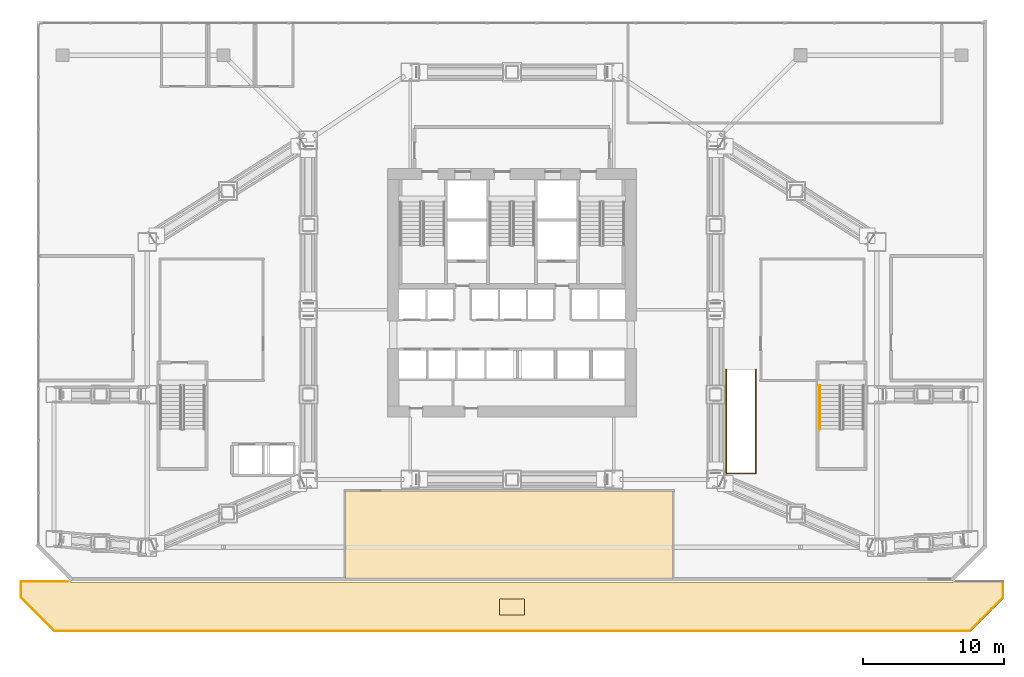
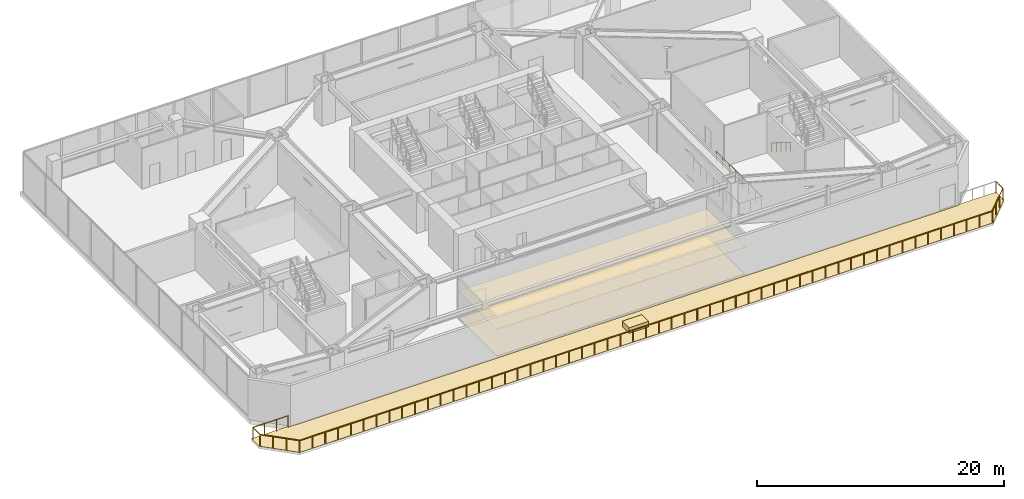
# One storey, part 37 of 39: 4 coverings, 3 railings.
"""IFC4 building model written with IfcOpenShell, lengths in metres."""

from ifc_helpers import new_model, si_unit, direction, frame, origin, origin_2d, place, context, subcontext, project, spatial, polyline, rectangle, circle, outline, extrude, material, layer, layer_set, type_object, element, save


model = new_model("IFC4")

# Units and contexts
model_context = context("Model", 3, precision=1e-05, world=origin(), true_north=direction((0.0, 1.0)))
body_context = subcontext(model_context, "Body", "Model", "MODEL_VIEW")
ifc_project = project(units=[si_unit("LENGTHUNIT", "METRE"), si_unit("AREAUNIT", "SQUARE_METRE"), si_unit("VOLUMEUNIT", "CUBIC_METRE"), si_unit("PLANEANGLEUNIT", "RADIAN"), si_unit("MASSUNIT", "GRAM", prefix="KILO")], contexts=[model_context])

# Site, building, storey
site_placement = place(None, origin())
site = spatial("IfcSite", under=ifc_project, at=site_placement, CompositionType="ELEMENT")
building_placement = place(site_placement, origin())
building = spatial("IfcBuilding", under=site, at=building_placement, Name="Haolan Belvedere Tower", CompositionType="ELEMENT")
storey_placement = place(building_placement, frame((0.0, 0.0, 19.800048828125)))
storey = spatial("IfcBuildingStorey", under=building, at=storey_placement, Name="L04", CompositionType="ELEMENT", Elevation=19.800048828125)

# Coverings
ifc_material_1 = material(Name="Acoustic mineral-fibre suspended ceiling system", Category="masonry")
ifc_layer_1 = layer(ifc_material_1, 0.02490234375, Name="Acoustic mineral-fibre suspended ceiling system")
ifc_layer_set_1 = layer_set([ifc_layer_1], Name="Acoustic mineral-fibre suspended ceiling system")
covering_type_1 = type_object("IfcCoveringType", Name="COV-CEIL-AC25", PredefinedType="CEILING", material=ifc_layer_set_1)
covering_1_placement = place(storey_placement, frame((0.0, 0.0, 2.64990234375)))
element("IfcCovering", 1, at=covering_1_placement, inside=storey, type_object=covering_type_1, Name="L04 suspended acoustic ceiling L04-SPAL.1", PredefinedType="CEILING", context=body_context, shape_type="SweptSolid", body=[
    extrude(outline(polyline([(49.81201171875, 14.5380859375), (49.81201171875, 20.81201171875), (26.587890625, 20.81201171875), (26.587890625, 14.5380859375), (49.81201171875, 14.5380859375)])), origin(), (0.0, 0.0, 1.0), 0.025146484375),
])
ifc_material_2 = material(Name="Honed terrazzo and natural granite stone flooring", Category="masonry")
ifc_layer_2 = layer(ifc_material_2, 0.014892578125, Name="Honed terrazzo and natural granite stone flooring")
ifc_layer_set_2 = layer_set([ifc_layer_2], Name="Honed terrazzo and natural granite stone flooring")
covering_type_2 = type_object("IfcCoveringType", Name="COV-FLR-STN30", PredefinedType="FLOORING", material=ifc_layer_set_2)
covering_2_placement = place(storey_placement, origin())
element("IfcCovering", 2, at=covering_2_placement, inside=storey, type_object=covering_type_2, Name="L04 polished stone floor finish L04-SPAL.1", PredefinedType="FLOORING", context=body_context, shape_type="SweptSolid", body=[
    extrude(outline(polyline([(49.787109375, 20.787109375), (26.613037109375, 20.787109375), (26.613037109375, 14.56298828125), (49.787109375, 14.56298828125), (49.787109375, 20.787109375)])), origin(), (0.0, 0.0, 1.0), 0.014892578125),
])
ifc_material_3 = material(Name="Engineered lightweight planted garden soil substrate", Category="masonry")
ifc_layer_3 = layer(ifc_material_3, 0.550048828125, Name="Engineered lightweight planted garden soil substrate")
ifc_layer_set_3 = layer_set([ifc_layer_3], Name="Engineered lightweight planted garden soil substrate")
covering_type_3 = type_object("IfcCoveringType", Name="COV-PLANT-550", PredefinedType="MEMBRANE", material=ifc_layer_set_3)
covering_3_placement = place(storey_placement, frame((38.39990234375, 12.574951171875, 0.0), z_axis=(0.0, 0.0, 1.0), x_axis=(1.0, 0.0, 0.0)))
element("IfcCovering", 3, at=covering_3_placement, inside=storey, type_object=covering_type_3, Name="L04 cascade garden terrace PLANTER bed 1", PredefinedType="MEMBRANE", context=body_context, shape_type="SweptSolid", body=[
    extrude(rectangle(XDim=1.800048828125, YDim=1.10009765625, at=origin_2d()), origin(), (0.0, 0.0, 1.0), 0.550048828125),
])
ifc_material_4 = material(Name="Elastomeric waterproof roofing membrane and stone pavers", Category="masonry")
ifc_layer_4 = layer(ifc_material_4, 0.02001953125, Name="Elastomeric waterproof roofing membrane and stone pavers")
ifc_layer_set_4 = layer_set([ifc_layer_4], Name="Elastomeric waterproof roofing membrane and stone pavers")
covering_type_4 = type_object("IfcCoveringType", Name="COV-ROOF-20", PredefinedType="ROOFING", material=ifc_layer_set_4)
covering_4_placement = place(storey_placement, frame((0.0, 0.0, -0.02001953125)))
element("IfcCovering", 4, at=covering_4_placement, inside=storey, type_object=covering_type_4, Name="L04 garden terrace waterproof roofing paver 1", PredefinedType="ROOFING", context=body_context, shape_type="SweptSolid", body=[
    extrude(outline(polyline([(73.199951171875, 14.449951171875), (69.720703125, 14.449951171875), (69.63671875, 14.365966796875), (69.63427734375, 14.36376953125), (69.629638671875, 14.35986328125), (69.62548828125, 14.357177734375), (69.621337890625, 14.35498046875), (69.61669921875, 14.35302734375), (69.612060546875, 14.3515625), (69.607421875, 14.3505859375), (69.601318359375, 14.35009765625), (69.59814453125, 14.35009765625), (7.201904296875, 14.35009765625), (7.198486328125, 14.35009765625), (7.192626953125, 14.3505859375), (7.18798828125, 14.3515625), (7.18310546875, 14.35302734375), (7.1787109375, 14.35498046875), (7.17431640625, 14.357177734375), (7.17041015625, 14.35986328125), (7.165771484375, 14.36376953125), (7.163330078125, 14.365966796875), (7.0791015625, 14.449951171875), (3.60009765625, 14.449951171875), (3.60009765625, 13.199951171875), (6.0, 10.800048828125), (70.800048828125, 10.800048828125), (73.199951171875, 13.199951171875), (73.199951171875, 14.449951171875)])), origin(), (0.0, 0.0, 1.0), 0.02001953125),
])

# Railings
ifc_material_5 = material(Name="Brushed stainless steel 304", Category="steel")
railing_type_1 = type_object("IfcRailingType", Name="RL-STAIR-GRD-1150", PredefinedType="GUARDRAIL", material=ifc_material_5)
railing_1_placement = place(storey_placement, frame((53.56005859375, 29.385009765625, 0.0)))
element("IfcRailing", 5, at=railing_1_placement, inside=storey, type_object=railing_type_1, Name="L04 ST9 upper well perimeter guard", PredefinedType="GUARDRAIL", context=body_context, shape_type="SweptSolid", body=[
    extrude(circle(Radius=0.02392578125, at=origin_2d()), frame((0.0, 0.0, 1.1259765625), z_axis=(0.0, -1.0, 0.0), x_axis=(1.0, 0.0, 0.0)), (0.0, 0.0, 1.0), 7.364990234375),
    extrude(circle(Radius=0.02392578125, at=origin_2d()), frame((0.0, -7.364990234375, 1.1259765625), z_axis=(1.0, 0.0, 0.0), x_axis=(0.0, 1.0, 0.0)), (0.0, 0.0, 1.0), 2.079833984375),
    extrude(circle(Radius=0.02392578125, at=origin_2d()), frame((2.079833984375, -7.364990234375, 1.1259765625), z_axis=(0.0, 1.0, 0.0), x_axis=(-1.0, 0.0, 0.0)), (0.0, 0.0, 1.0), 7.364990234375),
    extrude(circle(Radius=0.02099609375, at=origin_2d()), origin(), (0.0, 0.0, 1.0), 1.101806640625),
    extrude(circle(Radius=0.02099609375, at=origin_2d()), frame((0.0, -1.05224609375, 0.0)), (0.0, 0.0, 1.0), 1.101806640625),
    extrude(circle(Radius=0.02099609375, at=origin_2d()), frame((0.0, -2.104248046875, 0.0)), (0.0, 0.0, 1.0), 1.101806640625),
    extrude(circle(Radius=0.02099609375, at=origin_2d()), frame((0.0, -3.156494140625, 0.0)), (0.0, 0.0, 1.0), 1.101806640625),
    extrude(circle(Radius=0.02099609375, at=origin_2d()), frame((0.0, -4.20849609375, 0.0)), (0.0, 0.0, 1.0), 1.101806640625),
    extrude(circle(Radius=0.02099609375, at=origin_2d()), frame((0.0, -5.2607421875, 0.0)), (0.0, 0.0, 1.0), 1.101806640625),
    extrude(circle(Radius=0.02099609375, at=origin_2d()), frame((0.0, -6.312744140625, 0.0)), (0.0, 0.0, 1.0), 1.101806640625),
    extrude(circle(Radius=0.02099609375, at=origin_2d()), frame((0.0, -7.364990234375, 0.0)), (0.0, 0.0, 1.0), 1.101806640625),
    extrude(circle(Radius=0.02099609375, at=origin_2d()), frame((1.0400390625, -7.364990234375, 0.0)), (0.0, 0.0, 1.0), 1.101806640625),
    extrude(circle(Radius=0.02099609375, at=origin_2d()), frame((2.079833984375, -7.364990234375, 0.0)), (0.0, 0.0, 1.0), 1.101806640625),
    extrude(circle(Radius=0.02099609375, at=origin_2d()), frame((2.079833984375, -6.312744140625, 0.0)), (0.0, 0.0, 1.0), 1.101806640625),
    extrude(circle(Radius=0.02099609375, at=origin_2d()), frame((2.079833984375, -5.2607421875, 0.0)), (0.0, 0.0, 1.0), 1.101806640625),
    extrude(circle(Radius=0.02099609375, at=origin_2d()), frame((2.079833984375, -4.20849609375, 0.0)), (0.0, 0.0, 1.0), 1.101806640625),
    extrude(circle(Radius=0.02099609375, at=origin_2d()), frame((2.079833984375, -3.156494140625, 0.0)), (0.0, 0.0, 1.0), 1.101806640625),
    extrude(circle(Radius=0.02099609375, at=origin_2d()), frame((2.079833984375, -2.104248046875, 0.0)), (0.0, 0.0, 1.0), 1.101806640625),
    extrude(circle(Radius=0.02099609375, at=origin_2d()), frame((2.079833984375, -1.05224609375, 0.0)), (0.0, 0.0, 1.0), 1.101806640625),
    extrude(circle(Radius=0.02099609375, at=origin_2d()), frame((2.079833984375, 0.0, 0.0)), (0.0, 0.0, 1.0), 1.101806640625),
])
railing_type_2 = type_object("IfcRailingType", Name="RL-STAIR-HND-900", PredefinedType="HANDRAIL", material=ifc_material_5)
railing_2_placement = place(storey_placement, frame((60.169921875, 28.22998046875, 0.175048828125)))
element("IfcRailing", 6, at=railing_2_placement, inside=storey, type_object=railing_type_2, Name="L04 ST5 stair handrail 1", PredefinedType="HANDRAIL", context=body_context, shape_type="SweptSolid", body=[
    extrude(circle(Radius=0.02392578125, at=origin_2d()), frame((0.0, 0.0, 0.8759765625), z_axis=(0.0, -0.848028513186, 0.529950602248), x_axis=(1.0, 0.0, 0.0)), (0.0, 0.0, 1.0), 3.632080078125),
    extrude(circle(Radius=0.02099609375, at=origin_2d()), origin(), (0.0, 0.0, 1.0), 0.851806640625),
    extrude(circle(Radius=0.02099609375, at=origin_2d()), frame((0.0, -0.77001953125, 0.481201171875)), (0.0, 0.0, 1.0), 0.851806640625),
    extrude(circle(Radius=0.02099609375, at=origin_2d()), frame((0.0, -1.5400390625, 0.96240234375)), (0.0, 0.0, 1.0), 0.851806640625),
    extrude(circle(Radius=0.02099609375, at=origin_2d()), frame((0.0, -2.31005859375, 1.443603515625)), (0.0, 0.0, 1.0), 0.851806640625),
    extrude(circle(Radius=0.02099609375, at=origin_2d()), frame((0.0, -3.080078125, 1.9248046875)), (0.0, 0.0, 1.0), 0.851806640625),
])
ifc_material_6 = material(Name="Anodised aluminium and laminated glass balustrade", Category="aluminium")
railing_type_3 = type_object("IfcRailingType", Name="RL-TER-BAL-1150", PredefinedType="BALUSTRADE", material=ifc_material_6)
railing_3_placement = place(storey_placement, frame((73.1201171875, 14.3701171875, 0.0)))
element("IfcRailing", 7, at=railing_3_placement, inside=storey, type_object=railing_type_3, Name="L04 outdoor perimeter balustrade TERR-L04-1-1", PredefinedType="BALUSTRADE", context=body_context, shape_type="SweptSolid", body=[
    extrude(circle(Radius=0.02392578125, at=origin_2d()), frame((0.0, 0.0, 1.1259765625), z_axis=(0.0, -1.0, 0.0), x_axis=(1.0, 0.0, 0.0)), (0.0, 0.0, 1.0), 1.136962890625),
    extrude(circle(Radius=0.02392578125, at=origin_2d()), frame((0.0, -1.136962890625, 1.1259765625), z_axis=(-0.707106781187, -0.707106781187, 0.0), x_axis=(0.707106781187, -0.707106781187, 0.0)), (0.0, 0.0, 1.0), 3.328125),
    extrude(circle(Radius=0.02392578125, at=origin_2d()), frame((-2.353271484375, -3.490234375, 1.1259765625), z_axis=(-1.0, 0.0, 0.0), x_axis=(0.0, -1.0, 0.0)), (0.0, 0.0, 1.0), 64.733642578125),
    extrude(circle(Radius=0.02392578125, at=origin_2d()), frame((-67.0869140625, -3.490234375, 1.1259765625), z_axis=(-0.707106781187, 0.707106781187, 0.0), x_axis=(-0.707106781187, -0.707106781187, 0.0)), (0.0, 0.0, 1.0), 3.328125),
    extrude(circle(Radius=0.02392578125, at=origin_2d()), frame((-69.440185546875, -1.136962890625, 1.1259765625), z_axis=(0.0, 1.0, 0.0), x_axis=(-1.0, 0.0, 0.0)), (0.0, 0.0, 1.0), 1.136962890625),
    extrude(circle(Radius=0.02392578125, at=origin_2d()), frame((-69.440185546875, 0.0, 1.1259765625), z_axis=(1.0, 0.0, 0.0), x_axis=(0.0, 1.0, 0.0)), (0.0, 0.0, 1.0), 3.29541015625),
    extrude(circle(Radius=0.02099609375, at=origin_2d()), origin(), (0.0, 0.0, 1.0), 1.101806640625),
    extrude(circle(Radius=0.02099609375, at=origin_2d()), frame((0.0, -1.136962890625, 0.0)), (0.0, 0.0, 1.0), 1.101806640625),
    extrude(circle(Radius=0.02099609375, at=origin_2d()), frame((-0.784423828125, -1.92138671875, 0.0)), (0.0, 0.0, 1.0), 1.101806640625),
    extrude(circle(Radius=0.02099609375, at=origin_2d()), frame((-1.56884765625, -2.705810546875, 0.0)), (0.0, 0.0, 1.0), 1.101806640625),
    extrude(circle(Radius=0.02099609375, at=origin_2d()), frame((-2.353271484375, -3.490234375, 0.0)), (0.0, 0.0, 1.0), 1.101806640625),
    extrude(circle(Radius=0.02099609375, at=origin_2d()), frame((-3.552001953125, -3.490234375, 0.0)), (0.0, 0.0, 1.0), 1.101806640625),
    extrude(circle(Radius=0.02099609375, at=origin_2d()), frame((-4.750732421875, -3.490234375, 0.0)), (0.0, 0.0, 1.0), 1.101806640625),
    extrude(circle(Radius=0.02099609375, at=origin_2d()), frame((-5.94970703125, -3.490234375, 0.0)), (0.0, 0.0, 1.0), 1.101806640625),
    extrude(circle(Radius=0.02099609375, at=origin_2d()), frame((-7.1484375, -3.490234375, 0.0)), (0.0, 0.0, 1.0), 1.101806640625),
    extrude(circle(Radius=0.02099609375, at=origin_2d()), frame((-8.34716796875, -3.490234375, 0.0)), (0.0, 0.0, 1.0), 1.101806640625),
    extrude(circle(Radius=0.02099609375, at=origin_2d()), frame((-9.5458984375, -3.490234375, 0.0)), (0.0, 0.0, 1.0), 1.101806640625),
    extrude(circle(Radius=0.02099609375, at=origin_2d()), frame((-10.74462890625, -3.490234375, 0.0)), (0.0, 0.0, 1.0), 1.101806640625),
    extrude(circle(Radius=0.02099609375, at=origin_2d()), frame((-11.943359375, -3.490234375, 0.0)), (0.0, 0.0, 1.0), 1.101806640625),
    extrude(circle(Radius=0.02099609375, at=origin_2d()), frame((-13.14208984375, -3.490234375, 0.0)), (0.0, 0.0, 1.0), 1.101806640625),
    extrude(circle(Radius=0.02099609375, at=origin_2d()), frame((-14.341064453125, -3.490234375, 0.0)), (0.0, 0.0, 1.0), 1.101806640625),
    extrude(circle(Radius=0.02099609375, at=origin_2d()), frame((-15.539794921875, -3.490234375, 0.0)), (0.0, 0.0, 1.0), 1.101806640625),
    extrude(circle(Radius=0.02099609375, at=origin_2d()), frame((-16.738525390625, -3.490234375, 0.0)), (0.0, 0.0, 1.0), 1.101806640625),
    extrude(circle(Radius=0.02099609375, at=origin_2d()), frame((-17.937255859375, -3.490234375, 0.0)), (0.0, 0.0, 1.0), 1.101806640625),
    extrude(circle(Radius=0.02099609375, at=origin_2d()), frame((-19.135986328125, -3.490234375, 0.0)), (0.0, 0.0, 1.0), 1.101806640625),
    extrude(circle(Radius=0.02099609375, at=origin_2d()), frame((-20.3349609375, -3.490234375, 0.0)), (0.0, 0.0, 1.0), 1.101806640625),
    extrude(circle(Radius=0.02099609375, at=origin_2d()), frame((-21.53369140625, -3.490234375, 0.0)), (0.0, 0.0, 1.0), 1.101806640625),
    extrude(circle(Radius=0.02099609375, at=origin_2d()), frame((-22.732421875, -3.490234375, 0.0)), (0.0, 0.0, 1.0), 1.101806640625),
    extrude(circle(Radius=0.02099609375, at=origin_2d()), frame((-23.93115234375, -3.490234375, 0.0)), (0.0, 0.0, 1.0), 1.101806640625),
    extrude(circle(Radius=0.02099609375, at=origin_2d()), frame((-25.1298828125, -3.490234375, 0.0)), (0.0, 0.0, 1.0), 1.101806640625),
    extrude(circle(Radius=0.02099609375, at=origin_2d()), frame((-26.32861328125, -3.490234375, 0.0)), (0.0, 0.0, 1.0), 1.101806640625),
    extrude(circle(Radius=0.02099609375, at=origin_2d()), frame((-27.52734375, -3.490234375, 0.0)), (0.0, 0.0, 1.0), 1.101806640625),
    extrude(circle(Radius=0.02099609375, at=origin_2d()), frame((-28.726318359375, -3.490234375, 0.0)), (0.0, 0.0, 1.0), 1.101806640625),
    extrude(circle(Radius=0.02099609375, at=origin_2d()), frame((-29.925048828125, -3.490234375, 0.0)), (0.0, 0.0, 1.0), 1.101806640625),
    extrude(circle(Radius=0.02099609375, at=origin_2d()), frame((-31.123779296875, -3.490234375, 0.0)), (0.0, 0.0, 1.0), 1.101806640625),
    extrude(circle(Radius=0.02099609375, at=origin_2d()), frame((-32.322509765625, -3.490234375, 0.0)), (0.0, 0.0, 1.0), 1.101806640625),
    extrude(circle(Radius=0.02099609375, at=origin_2d()), frame((-33.521240234375, -3.490234375, 0.0)), (0.0, 0.0, 1.0), 1.101806640625),
    extrude(circle(Radius=0.02099609375, at=origin_2d()), frame((-34.72021484375, -3.490234375, 0.0)), (0.0, 0.0, 1.0), 1.101806640625),
    extrude(circle(Radius=0.02099609375, at=origin_2d()), frame((-35.9189453125, -3.490234375, 0.0)), (0.0, 0.0, 1.0), 1.101806640625),
    extrude(circle(Radius=0.02099609375, at=origin_2d()), frame((-37.11767578125, -3.490234375, 0.0)), (0.0, 0.0, 1.0), 1.101806640625),
    extrude(circle(Radius=0.02099609375, at=origin_2d()), frame((-38.31640625, -3.490234375, 0.0)), (0.0, 0.0, 1.0), 1.101806640625),
    extrude(circle(Radius=0.02099609375, at=origin_2d()), frame((-39.51513671875, -3.490234375, 0.0)), (0.0, 0.0, 1.0), 1.101806640625),
    extrude(circle(Radius=0.02099609375, at=origin_2d()), frame((-40.7138671875, -3.490234375, 0.0)), (0.0, 0.0, 1.0), 1.101806640625),
    extrude(circle(Radius=0.02099609375, at=origin_2d()), frame((-41.91259765625, -3.490234375, 0.0)), (0.0, 0.0, 1.0), 1.101806640625),
    extrude(circle(Radius=0.02099609375, at=origin_2d()), frame((-43.111572265625, -3.490234375, 0.0)), (0.0, 0.0, 1.0), 1.101806640625),
    extrude(circle(Radius=0.02099609375, at=origin_2d()), frame((-44.310302734375, -3.490234375, 0.0)), (0.0, 0.0, 1.0), 1.101806640625),
    extrude(circle(Radius=0.02099609375, at=origin_2d()), frame((-45.509033203125, -3.490234375, 0.0)), (0.0, 0.0, 1.0), 1.101806640625),
    extrude(circle(Radius=0.02099609375, at=origin_2d()), frame((-46.707763671875, -3.490234375, 0.0)), (0.0, 0.0, 1.0), 1.101806640625),
    extrude(circle(Radius=0.02099609375, at=origin_2d()), frame((-47.906494140625, -3.490234375, 0.0)), (0.0, 0.0, 1.0), 1.101806640625),
    extrude(circle(Radius=0.02099609375, at=origin_2d()), frame((-49.10546875, -3.490234375, 0.0)), (0.0, 0.0, 1.0), 1.101806640625),
    extrude(circle(Radius=0.02099609375, at=origin_2d()), frame((-50.30419921875, -3.490234375, 0.0)), (0.0, 0.0, 1.0), 1.101806640625),
    extrude(circle(Radius=0.02099609375, at=origin_2d()), frame((-51.5029296875, -3.490234375, 0.0)), (0.0, 0.0, 1.0), 1.101806640625),
    extrude(circle(Radius=0.02099609375, at=origin_2d()), frame((-52.70166015625, -3.490234375, 0.0)), (0.0, 0.0, 1.0), 1.101806640625),
    extrude(circle(Radius=0.02099609375, at=origin_2d()), frame((-53.900390625, -3.490234375, 0.0)), (0.0, 0.0, 1.0), 1.101806640625),
    extrude(circle(Radius=0.02099609375, at=origin_2d()), frame((-55.09912109375, -3.490234375, 0.0)), (0.0, 0.0, 1.0), 1.101806640625),
    extrude(circle(Radius=0.02099609375, at=origin_2d()), frame((-56.2978515625, -3.490234375, 0.0)), (0.0, 0.0, 1.0), 1.101806640625),
    extrude(circle(Radius=0.02099609375, at=origin_2d()), frame((-57.496826171875, -3.490234375, 0.0)), (0.0, 0.0, 1.0), 1.101806640625),
    extrude(circle(Radius=0.02099609375, at=origin_2d()), frame((-58.695556640625, -3.490234375, 0.0)), (0.0, 0.0, 1.0), 1.101806640625),
    extrude(circle(Radius=0.02099609375, at=origin_2d()), frame((-59.894287109375, -3.490234375, 0.0)), (0.0, 0.0, 1.0), 1.101806640625),
    extrude(circle(Radius=0.02099609375, at=origin_2d()), frame((-61.093017578125, -3.490234375, 0.0)), (0.0, 0.0, 1.0), 1.101806640625),
    extrude(circle(Radius=0.02099609375, at=origin_2d()), frame((-62.291748046875, -3.490234375, 0.0)), (0.0, 0.0, 1.0), 1.101806640625),
    extrude(circle(Radius=0.02099609375, at=origin_2d()), frame((-63.49072265625, -3.490234375, 0.0)), (0.0, 0.0, 1.0), 1.101806640625),
    extrude(circle(Radius=0.02099609375, at=origin_2d()), frame((-64.689453125, -3.490234375, 0.0)), (0.0, 0.0, 1.0), 1.101806640625),
    extrude(circle(Radius=0.02099609375, at=origin_2d()), frame((-65.88818359375, -3.490234375, 0.0)), (0.0, 0.0, 1.0), 1.101806640625),
    extrude(circle(Radius=0.02099609375, at=origin_2d()), frame((-67.0869140625, -3.490234375, 0.0)), (0.0, 0.0, 1.0), 1.101806640625),
    extrude(circle(Radius=0.02099609375, at=origin_2d()), frame((-67.871337890625, -2.705810546875, 0.0)), (0.0, 0.0, 1.0), 1.101806640625),
    extrude(circle(Radius=0.02099609375, at=origin_2d()), frame((-68.65576171875, -1.92138671875, 0.0)), (0.0, 0.0, 1.0), 1.101806640625),
    extrude(circle(Radius=0.02099609375, at=origin_2d()), frame((-69.440185546875, -1.136962890625, 0.0)), (0.0, 0.0, 1.0), 1.101806640625),
    extrude(circle(Radius=0.02099609375, at=origin_2d()), frame((-69.440185546875, 0.0, 0.0)), (0.0, 0.0, 1.0), 1.101806640625),
    extrude(circle(Radius=0.02099609375, at=origin_2d()), frame((-68.341796875, 0.0, 0.0)), (0.0, 0.0, 1.0), 1.101806640625),
    extrude(circle(Radius=0.02099609375, at=origin_2d()), frame((-67.2431640625, 0.0, 0.0)), (0.0, 0.0, 1.0), 1.101806640625),
    extrude(circle(Radius=0.02099609375, at=origin_2d()), frame((-66.144775390625, 0.0, 0.0)), (0.0, 0.0, 1.0), 1.101806640625),
])

save(model, "model.ifc")
